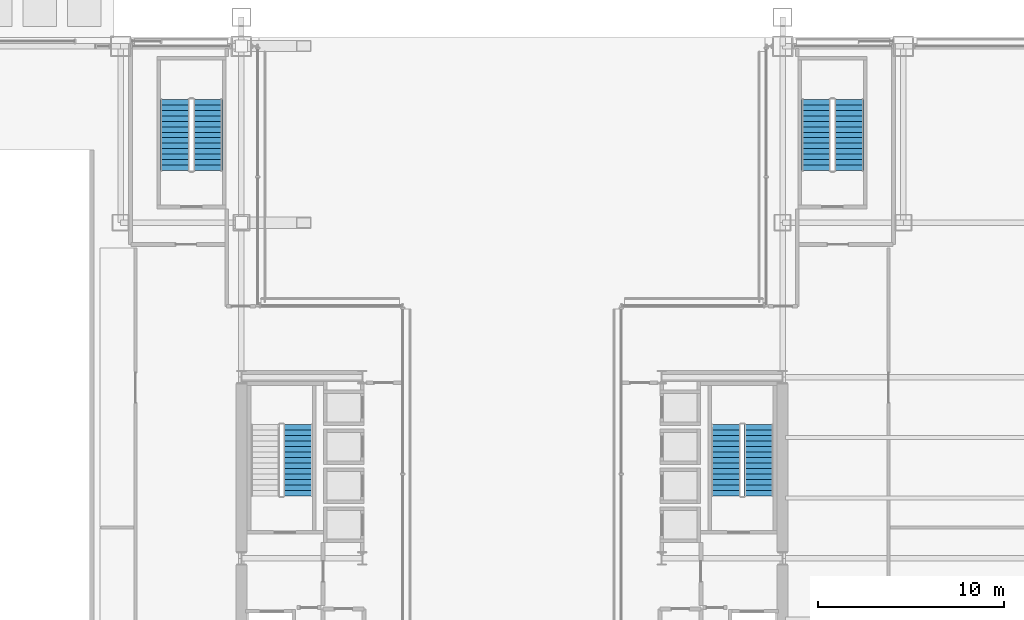
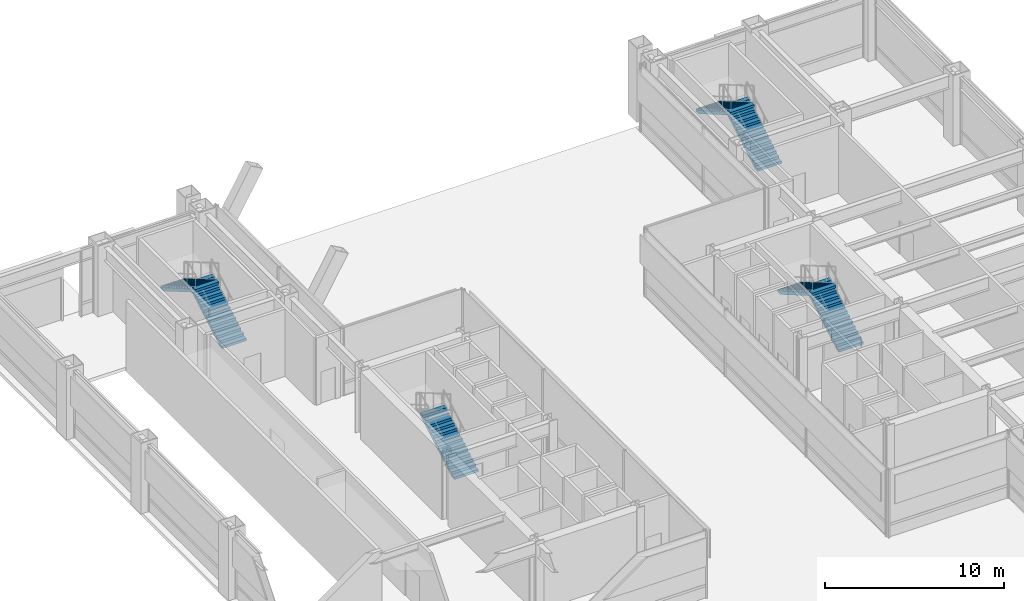
# One storey, part 34 of 37: 7 stair flights, 4 elements without a shape of their own.
"""IFC4 building model written with IfcOpenShell, lengths in metres."""

from ifc_helpers import new_model, si_unit, direction, frame, origin, place, context, subcontext, project, spatial, polyline, outline, extrude, material, type_object, element, aggregate, save


model = new_model("IFC4")

# Units and contexts
model_context = context("Model", 3, precision=1e-05, world=origin(), true_north=direction((0.0, 1.0)))
body_context = subcontext(model_context, "Body", "Model", "MODEL_VIEW")
ifc_project = project(units=[si_unit("LENGTHUNIT", "METRE"), si_unit("AREAUNIT", "SQUARE_METRE"), si_unit("VOLUMEUNIT", "CUBIC_METRE"), si_unit("PLANEANGLEUNIT", "RADIAN"), si_unit("MASSUNIT", "GRAM", prefix="KILO")], contexts=[model_context])

# Site, building, storey
site_placement = place(None, origin())
site = spatial("IfcSite", under=ifc_project, at=site_placement, CompositionType="ELEMENT")
building_placement = place(site_placement, origin())
building = spatial("IfcBuilding", under=site, at=building_placement, Name="Brelmoor Portico Tower", CompositionType="ELEMENT")
storey_placement = place(building_placement, origin())
storey = spatial("IfcBuildingStorey", under=building, at=storey_placement, Name="L00", CompositionType="ELEMENT", Elevation=0.0)

# Stair, stair flight
ifc_material = material(Name="Concrete C40", Category="concrete")
stair_type_1 = type_object("IfcStairType", Name="ST-CORE-W", PredefinedType="HALF_TURN_STAIR", material=ifc_material)
stair_1_placement = place(storey_placement, origin())
stair_1 = element("IfcStair", 1, at=stair_1_placement, inside=storey, type_object=stair_type_1, Name="L00 Protected Core Exit Stair ST-W", PredefinedType="HALF_TURN_STAIR")
stair_flight_type = type_object("IfcStairFlightType", Name="SF-CORE-1850", PredefinedType="STRAIGHT", material=ifc_material)
stair_flight_1_placement = place(storey_placement, frame((-11.510009765625, 3.35009765625, 0.0), z_axis=(0.0, 0.0, 1.0), x_axis=(0.0, 1.0, 0.0)))
stair_flight_1 = element("IfcStairFlight", 2, at=stair_flight_1_placement, type_object=stair_flight_type, Name="ST-W flight 1", NumberOfRisers=14, NumberOfTreads=13, PredefinedType="STRAIGHT", RiserHeight=0.171428571, TreadLength=0.295, context=body_context, shape_type="SweptSolid", body=[
    extrude(outline(polyline([(0.0, 0.0), (0.0, 0.17138671875), (0.294921875, 0.17138671875), (0.294921875, 0.3427734375), (0.590087890625, 0.3427734375), (0.590087890625, 0.514404296875), (0.885009765625, 0.514404296875), (0.885009765625, 0.685791015625), (1.179931640625, 0.685791015625), (1.179931640625, 0.857177734375), (1.47509765625, 0.857177734375), (1.47509765625, 1.028564453125), (1.77001953125, 1.028564453125), (1.77001953125, 1.199951171875), (2.06494140625, 1.199951171875), (2.06494140625, 1.371337890625), (2.360107421875, 1.371337890625), (2.360107421875, 1.54296875), (2.655029296875, 1.54296875), (2.655029296875, 1.71435546875), (2.949951171875, 1.71435546875), (2.949951171875, 1.8857421875), (3.2451171875, 1.8857421875), (3.2451171875, 2.05712890625), (3.5400390625, 2.05712890625), (3.5400390625, 2.228515625), (3.8349609375, 2.228515625), (3.8349609375, 2.39990234375), (3.8349609375, 2.05517578125), (0.29833984375, 0.0), (0.0, 0.0)])), frame((0.0, 0.780029296875, 0.0), z_axis=(0.0, -1.0, 0.0), x_axis=(1.0, 0.0, 0.0)), (0.0, 0.0, 1.0), 1.56005859375),
])
aggregate(stair_1, [stair_flight_1])

# Stair, stair flights
stair_type_2 = type_object("IfcStairType", Name="ST-CORE-E", PredefinedType="HALF_TURN_STAIR", material=ifc_material)
stair_2_placement = place(storey_placement, origin())
stair_2 = element("IfcStair", 3, at=stair_2_placement, inside=storey, type_object=stair_type_2, Name="L00 Protected Core Exit Stair ST-E", PredefinedType="HALF_TURN_STAIR")
stair_flight_2_placement = place(storey_placement, frame((13.27001953125, 3.35009765625, 0.0), z_axis=(0.0, 0.0, 1.0), x_axis=(0.0, 1.0, 0.0)))
stair_flight_2 = element("IfcStairFlight", 4, at=stair_flight_2_placement, type_object=stair_flight_type, Name="ST-E flight 1", NumberOfRisers=14, NumberOfTreads=13, PredefinedType="STRAIGHT", RiserHeight=0.171428571, TreadLength=0.295, context=body_context, shape_type="SweptSolid", body=[
    extrude(outline(polyline([(0.0, 0.0), (0.0, 0.17138671875), (0.294921875, 0.17138671875), (0.294921875, 0.3427734375), (0.590087890625, 0.3427734375), (0.590087890625, 0.514404296875), (0.885009765625, 0.514404296875), (0.885009765625, 0.685791015625), (1.179931640625, 0.685791015625), (1.179931640625, 0.857177734375), (1.47509765625, 0.857177734375), (1.47509765625, 1.028564453125), (1.77001953125, 1.028564453125), (1.77001953125, 1.199951171875), (2.06494140625, 1.199951171875), (2.06494140625, 1.371337890625), (2.360107421875, 1.371337890625), (2.360107421875, 1.54296875), (2.655029296875, 1.54296875), (2.655029296875, 1.71435546875), (2.949951171875, 1.71435546875), (2.949951171875, 1.8857421875), (3.2451171875, 1.8857421875), (3.2451171875, 2.05712890625), (3.5400390625, 2.05712890625), (3.5400390625, 2.228515625), (3.8349609375, 2.228515625), (3.8349609375, 2.39990234375), (3.8349609375, 2.05517578125), (0.29833984375, 0.0), (0.0, 0.0)])), frame((0.0, 0.780029296875, 0.0), z_axis=(0.0, -1.0, 0.0), x_axis=(1.0, 0.0, 0.0)), (0.0, 0.0, 1.0), 1.56005859375),
])
stair_flight_3_placement = place(storey_placement, frame((11.510009765625, 7.18505859375, 2.39990234375), z_axis=(0.0, 0.0, 1.0), x_axis=(0.0, -1.0, 0.0)))
stair_flight_3 = element("IfcStairFlight", 5, at=stair_flight_3_placement, type_object=stair_flight_type, Name="ST-E flight 2", NumberOfRisers=14, NumberOfTreads=13, PredefinedType="STRAIGHT", RiserHeight=0.171428571, TreadLength=0.295, context=body_context, shape_type="SweptSolid", body=[
    extrude(outline(polyline([(0.0, 0.0), (0.0, 0.17138671875), (0.294921875, 0.17138671875), (0.294921875, 0.3427734375), (0.590087890625, 0.3427734375), (0.590087890625, 0.514404296875), (0.885009765625, 0.514404296875), (0.885009765625, 0.685791015625), (1.179931640625, 0.685791015625), (1.179931640625, 0.857177734375), (1.47509765625, 0.857177734375), (1.47509765625, 1.028564453125), (1.77001953125, 1.028564453125), (1.77001953125, 1.199951171875), (2.06494140625, 1.199951171875), (2.06494140625, 1.371337890625), (2.360107421875, 1.371337890625), (2.360107421875, 1.54296875), (2.655029296875, 1.54296875), (2.655029296875, 1.71435546875), (2.949951171875, 1.71435546875), (2.949951171875, 1.8857421875), (3.2451171875, 1.8857421875), (3.2451171875, 2.05712890625), (3.5400390625, 2.05712890625), (3.5400390625, 2.228515625), (3.8349609375, 2.228515625), (3.8349609375, 2.39990234375), (3.8349609375, 2.05517578125), (0.29833984375, 0.0), (0.0, 0.0)])), frame((0.0, 0.780029296875, 0.0), z_axis=(0.0, -1.0, 0.0), x_axis=(1.0, 0.0, 0.0)), (0.0, 0.0, 1.0), 1.56005859375),
])
aggregate(stair_2, [stair_flight_2, stair_flight_3])

stair_type_3 = type_object("IfcStairType", Name="ST-POD-P1", PredefinedType="HALF_TURN_STAIR", material=ifc_material)
stair_3_placement = place(storey_placement, origin())
stair_3 = element("IfcStair", 6, at=stair_3_placement, inside=storey, type_object=stair_type_3, Name="L00 Podium Protected Exit Stair ST-P1", PredefinedType="HALF_TURN_STAIR")
stair_flight_4_placement = place(storey_placement, frame((-16.360107421875, 20.85009765625, 0.0), z_axis=(0.0, 0.0, 1.0), x_axis=(0.0, 1.0, 0.0)))
stair_flight_4 = element("IfcStairFlight", 7, at=stair_flight_4_placement, type_object=stair_flight_type, Name="ST-P1 flight 1", NumberOfRisers=14, NumberOfTreads=13, PredefinedType="STRAIGHT", RiserHeight=0.171428571, TreadLength=0.295, context=body_context, shape_type="SweptSolid", body=[
    extrude(outline(polyline([(0.0, 0.0), (0.0, 0.17138671875), (0.294921875, 0.17138671875), (0.294921875, 0.3427734375), (0.590087890625, 0.3427734375), (0.590087890625, 0.514404296875), (0.885009765625, 0.514404296875), (0.885009765625, 0.685791015625), (1.179931640625, 0.685791015625), (1.179931640625, 0.857177734375), (1.47509765625, 0.857177734375), (1.47509765625, 1.028564453125), (1.77001953125, 1.028564453125), (1.77001953125, 1.199951171875), (2.06494140625, 1.199951171875), (2.06494140625, 1.371337890625), (2.360107421875, 1.371337890625), (2.360107421875, 1.54296875), (2.655029296875, 1.54296875), (2.655029296875, 1.71435546875), (2.949951171875, 1.71435546875), (2.949951171875, 1.8857421875), (3.2451171875, 1.8857421875), (3.2451171875, 2.05712890625), (3.5400390625, 2.05712890625), (3.5400390625, 2.228515625), (3.8349609375, 2.228515625), (3.8349609375, 2.39990234375), (3.8349609375, 2.05517578125), (0.29833984375, 0.0), (0.0, 0.0)])), frame((0.0, 0.780029296875, 0.0), z_axis=(0.0, -1.0, 0.0), x_axis=(1.0, 0.0, 0.0)), (0.0, 0.0, 1.0), 1.56005859375),
])
stair_flight_5_placement = place(storey_placement, frame((-18.1201171875, 24.68505859375, 2.39990234375), z_axis=(0.0, 0.0, 1.0), x_axis=(0.0, -1.0, 0.0)))
stair_flight_5 = element("IfcStairFlight", 8, at=stair_flight_5_placement, type_object=stair_flight_type, Name="ST-P1 flight 2", NumberOfRisers=14, NumberOfTreads=13, PredefinedType="STRAIGHT", RiserHeight=0.171428571, TreadLength=0.295, context=body_context, shape_type="SweptSolid", body=[
    extrude(outline(polyline([(0.0, 0.0), (0.0, 0.17138671875), (0.294921875, 0.17138671875), (0.294921875, 0.3427734375), (0.590087890625, 0.3427734375), (0.590087890625, 0.514404296875), (0.885009765625, 0.514404296875), (0.885009765625, 0.685791015625), (1.179931640625, 0.685791015625), (1.179931640625, 0.857177734375), (1.47509765625, 0.857177734375), (1.47509765625, 1.028564453125), (1.77001953125, 1.028564453125), (1.77001953125, 1.199951171875), (2.06494140625, 1.199951171875), (2.06494140625, 1.371337890625), (2.360107421875, 1.371337890625), (2.360107421875, 1.54296875), (2.655029296875, 1.54296875), (2.655029296875, 1.71435546875), (2.949951171875, 1.71435546875), (2.949951171875, 1.8857421875), (3.2451171875, 1.8857421875), (3.2451171875, 2.05712890625), (3.5400390625, 2.05712890625), (3.5400390625, 2.228515625), (3.8349609375, 2.228515625), (3.8349609375, 2.39990234375), (3.8349609375, 2.05517578125), (0.29833984375, 0.0), (0.0, 0.0)])), frame((0.0, 0.780029296875, 0.0), z_axis=(0.0, -1.0, 0.0), x_axis=(1.0, 0.0, 0.0)), (0.0, 0.0, 1.0), 1.56005859375),
])
aggregate(stair_3, [stair_flight_4, stair_flight_5])

stair_type_4 = type_object("IfcStairType", Name="ST-POD-P2", PredefinedType="HALF_TURN_STAIR", material=ifc_material)
stair_4_placement = place(storey_placement, origin())
stair_4 = element("IfcStair", 9, at=stair_4_placement, inside=storey, type_object=stair_type_4, Name="L00 Podium Protected Exit Stair ST-P2", PredefinedType="HALF_TURN_STAIR")
stair_flight_6_placement = place(storey_placement, frame((18.1201171875, 20.85009765625, 0.0), z_axis=(0.0, 0.0, 1.0), x_axis=(0.0, 1.0, 0.0)))
stair_flight_6 = element("IfcStairFlight", 10, at=stair_flight_6_placement, type_object=stair_flight_type, Name="ST-P2 flight 1", NumberOfRisers=14, NumberOfTreads=13, PredefinedType="STRAIGHT", RiserHeight=0.171428571, TreadLength=0.295, context=body_context, shape_type="SweptSolid", body=[
    extrude(outline(polyline([(0.0, 0.0), (0.0, 0.17138671875), (0.294921875, 0.17138671875), (0.294921875, 0.3427734375), (0.590087890625, 0.3427734375), (0.590087890625, 0.514404296875), (0.885009765625, 0.514404296875), (0.885009765625, 0.685791015625), (1.179931640625, 0.685791015625), (1.179931640625, 0.857177734375), (1.47509765625, 0.857177734375), (1.47509765625, 1.028564453125), (1.77001953125, 1.028564453125), (1.77001953125, 1.199951171875), (2.06494140625, 1.199951171875), (2.06494140625, 1.371337890625), (2.360107421875, 1.371337890625), (2.360107421875, 1.54296875), (2.655029296875, 1.54296875), (2.655029296875, 1.71435546875), (2.949951171875, 1.71435546875), (2.949951171875, 1.8857421875), (3.2451171875, 1.8857421875), (3.2451171875, 2.05712890625), (3.5400390625, 2.05712890625), (3.5400390625, 2.228515625), (3.8349609375, 2.228515625), (3.8349609375, 2.39990234375), (3.8349609375, 2.05517578125), (0.29833984375, 0.0), (0.0, 0.0)])), frame((0.0, 0.780029296875, 0.0), z_axis=(0.0, -1.0, 0.0), x_axis=(1.0, 0.0, 0.0)), (0.0, 0.0, 1.0), 1.56005859375),
])
stair_flight_7_placement = place(storey_placement, frame((16.360107421875, 24.68505859375, 2.39990234375), z_axis=(0.0, 0.0, 1.0), x_axis=(0.0, -1.0, 0.0)))
stair_flight_7 = element("IfcStairFlight", 11, at=stair_flight_7_placement, type_object=stair_flight_type, Name="ST-P2 flight 2", NumberOfRisers=14, NumberOfTreads=13, PredefinedType="STRAIGHT", RiserHeight=0.171428571, TreadLength=0.295, context=body_context, shape_type="SweptSolid", body=[
    extrude(outline(polyline([(0.0, 0.0), (0.0, 0.17138671875), (0.294921875, 0.17138671875), (0.294921875, 0.3427734375), (0.590087890625, 0.3427734375), (0.590087890625, 0.514404296875), (0.885009765625, 0.514404296875), (0.885009765625, 0.685791015625), (1.179931640625, 0.685791015625), (1.179931640625, 0.857177734375), (1.47509765625, 0.857177734375), (1.47509765625, 1.028564453125), (1.77001953125, 1.028564453125), (1.77001953125, 1.199951171875), (2.06494140625, 1.199951171875), (2.06494140625, 1.371337890625), (2.360107421875, 1.371337890625), (2.360107421875, 1.54296875), (2.655029296875, 1.54296875), (2.655029296875, 1.71435546875), (2.949951171875, 1.71435546875), (2.949951171875, 1.8857421875), (3.2451171875, 1.8857421875), (3.2451171875, 2.05712890625), (3.5400390625, 2.05712890625), (3.5400390625, 2.228515625), (3.8349609375, 2.228515625), (3.8349609375, 2.39990234375), (3.8349609375, 2.05517578125), (0.29833984375, 0.0), (0.0, 0.0)])), frame((0.0, 0.780029296875, 0.0), z_axis=(0.0, -1.0, 0.0), x_axis=(1.0, 0.0, 0.0)), (0.0, 0.0, 1.0), 1.56005859375),
])
aggregate(stair_4, [stair_flight_6, stair_flight_7])

save(model, "model.ifc")
